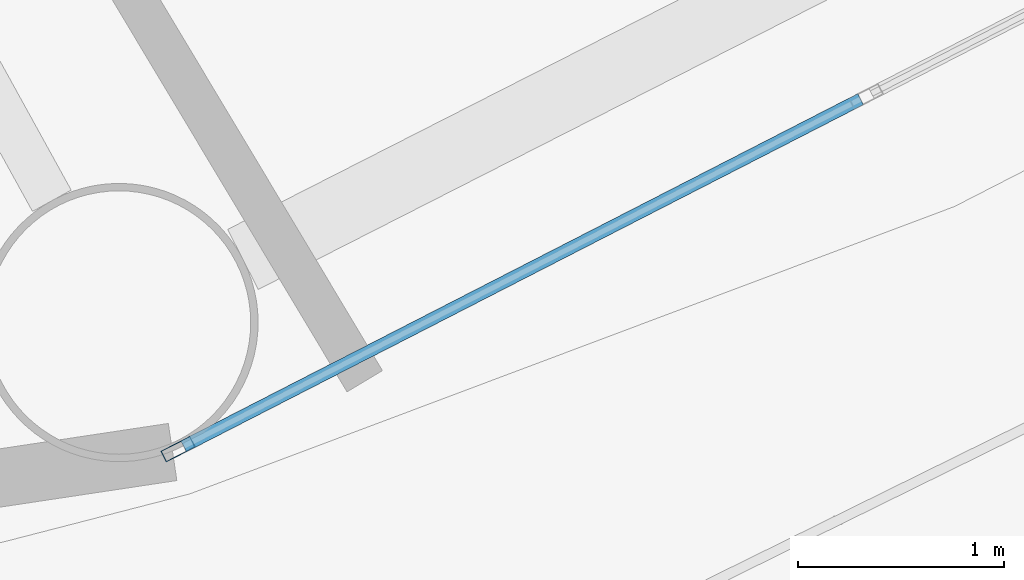
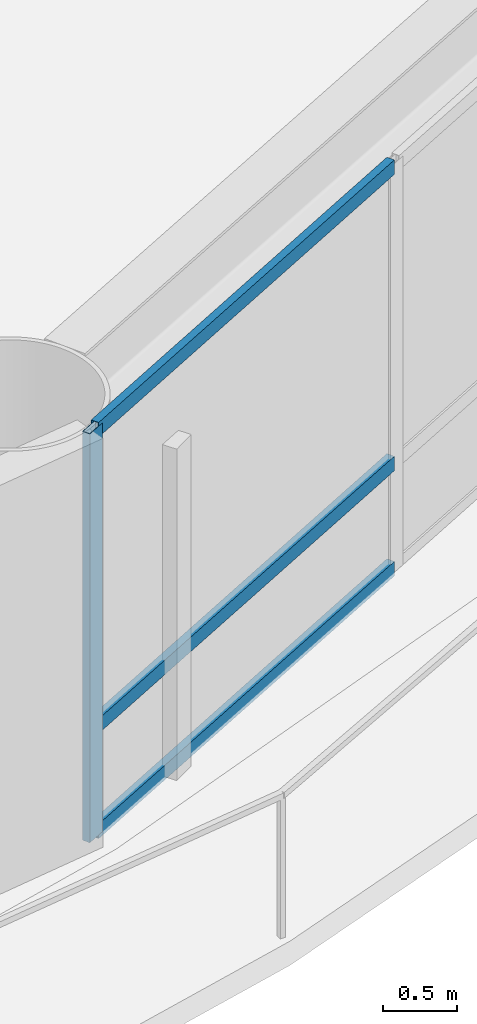
# One storey, part 6 of 26: 4 members, 1 element without a shape of its own.
"""IFC4 building model written with IfcOpenShell, lengths in metres."""

from ifc_helpers import new_model, si_unit, direction, frame, origin, origin_2d, place, context, subcontext, project, spatial, hollow_rectangle, extrude, material, layer, layer_set, material_profile, profile_set, type_object, element, aggregate, save


model = new_model("IFC4")

# Units and contexts
model_context = context("Model", 3, precision=1e-05, world=origin(), true_north=direction((0.0, 1.0)))
body_context = subcontext(model_context, "Body", "Model", "MODEL_VIEW")
ifc_project = project(units=[si_unit("LENGTHUNIT", "METRE"), si_unit("AREAUNIT", "SQUARE_METRE"), si_unit("VOLUMEUNIT", "CUBIC_METRE"), si_unit("PLANEANGLEUNIT", "RADIAN"), si_unit("MASSUNIT", "GRAM", prefix="KILO")], contexts=[model_context])

# Site, building, storey
site_placement = place(None, origin())
site = spatial("IfcSite", under=ifc_project, at=site_placement, CompositionType="ELEMENT")
building_placement = place(site_placement, origin())
building = spatial("IfcBuilding", under=site, at=building_placement, Name="Sarneth Arch Tower", CompositionType="ELEMENT")
storey_placement = place(building_placement, frame((0.0, 0.0, 49.800048828125)))
storey = spatial("IfcBuildingStorey", under=building, at=storey_placement, Name="L11", CompositionType="ELEMENT", Elevation=49.800048828125)

# Curtain wall, members
ifc_material_1 = material(Name="Anodised aluminium Type AA25 and solar-control low-e laminated IGU", Category="aluminium")
ifc_layer = layer(ifc_material_1, 0.159912109375)
ifc_layer_set = layer_set([ifc_layer], Name="Anodised aluminium Type AA25 and solar-control low-e laminated IGU")
curtain_wall_type = type_object("IfcCurtainWallType", Name="CW-HOTEL-LOW", PredefinedType="NOTDEFINED", material=ifc_layer_set)
curtain_wall_placement = place(storey_placement, origin())
curtain_wall = element("IfcCurtainWall", 1, at=curtain_wall_placement, inside=storey, type_object=curtain_wall_type, Name="L11 Unitised curtain wall facet 14", PredefinedType="NOTDEFINED")
ifc_material_2 = material(Name="Anodised Aluminium 6063-T6", Category="aluminium")
ifc_material_profile_1 = material_profile(ifc_material_2, hollow_rectangle(XDim=0.06005859375, YDim=0.159912109375, WallThickness=0.00390625, at=origin_2d()), Name="AL-MULL-160x60x4")
ifc_profile_set_1 = profile_set([ifc_material_profile_1], Name="Anodised Aluminium 6063-T6")
member_type_1 = type_object("IfcMemberType", Name="CW-MULLION", PredefinedType="MULLION", material=ifc_profile_set_1)
member_1_placement = place(storey_placement, frame((60.1044921875, 19.951416015625, 0.0), z_axis=(0.0, 0.0, 1.0), x_axis=(-0.456245197127, 0.889854100456, 0.0)))
member_1 = element("IfcMember", 2, at=member_1_placement, type_object=member_type_1, Name="CW-SYS-3 mullion 1", PredefinedType="MULLION", context=body_context, shape_type="SweptSolid", body=[
    extrude(hollow_rectangle(XDim=0.06005859375, YDim=0.159912109375, WallThickness=0.00390625, at=origin_2d()), origin(), (0.0, 0.0, 1.0), 3.3798828125),
])
ifc_material_3 = material(Name="Anodised Aluminium 6063-T6", Category="aluminium")
ifc_material_profile_2 = material_profile(ifc_material_3, hollow_rectangle(XDim=0.06005859375, YDim=0.1201171875, WallThickness=0.00390625, at=origin_2d()), Name="AL-TRAN-120x60x4")
ifc_profile_set_2 = profile_set([ifc_material_profile_2], Name="Anodised Aluminium 6063-T6")
member_type_2 = type_object("IfcMemberType", Name="CW-TRANSOM", PredefinedType="USERDEFINED", material=ifc_profile_set_2)
member_2_placement = place(storey_placement, frame((60.13134765625, 19.965087890625, 0.030029296875), z_axis=(0.889831232102, 0.456289796485, 0.0), x_axis=(-0.456289796485, 0.889831232102, 0.0)))
member_2 = element("IfcMember", 3, at=member_2_placement, type_object=member_type_2, Name="CW-SYS-3 transom 1.1", ObjectType="TRANSOM", PredefinedType="USERDEFINED", context=body_context, shape_type="SweptSolid", body=[
    extrude(hollow_rectangle(XDim=0.06005859375, YDim=0.1201171875, WallThickness=0.00390625, at=origin_2d()), origin(), (0.0, 0.0, 1.0), 3.69189453125),
])
member_3_placement = place(storey_placement, frame((60.13134765625, 19.965087890625, 0.89990234375), z_axis=(0.889831232102, 0.456289796485, 0.0), x_axis=(-0.456289796485, 0.889831232102, 0.0)))
member_3 = element("IfcMember", 4, at=member_3_placement, type_object=member_type_2, Name="CW-SYS-3 transom 1.2", ObjectType="TRANSOM", PredefinedType="USERDEFINED", context=body_context, shape_type="SweptSolid", body=[
    extrude(hollow_rectangle(XDim=0.06005859375, YDim=0.1201171875, WallThickness=0.00390625, at=origin_2d()), origin(), (0.0, 0.0, 1.0), 3.69189453125),
])
member_4_placement = place(storey_placement, frame((60.13134765625, 19.965087890625, 3.349853515625), z_axis=(0.889831232102, 0.456289796485, 0.0), x_axis=(-0.456289796485, 0.889831232102, 0.0)))
member_4 = element("IfcMember", 5, at=member_4_placement, type_object=member_type_2, Name="CW-SYS-3 transom 1.3", ObjectType="TRANSOM", PredefinedType="USERDEFINED", context=body_context, shape_type="SweptSolid", body=[
    extrude(hollow_rectangle(XDim=0.06005859375, YDim=0.1201171875, WallThickness=0.00390625, at=origin_2d()), origin(), (0.0, 0.0, 1.0), 3.69189453125),
])
aggregate(curtain_wall, [member_1, member_2, member_3, member_4])

save(model, "model.ifc")
